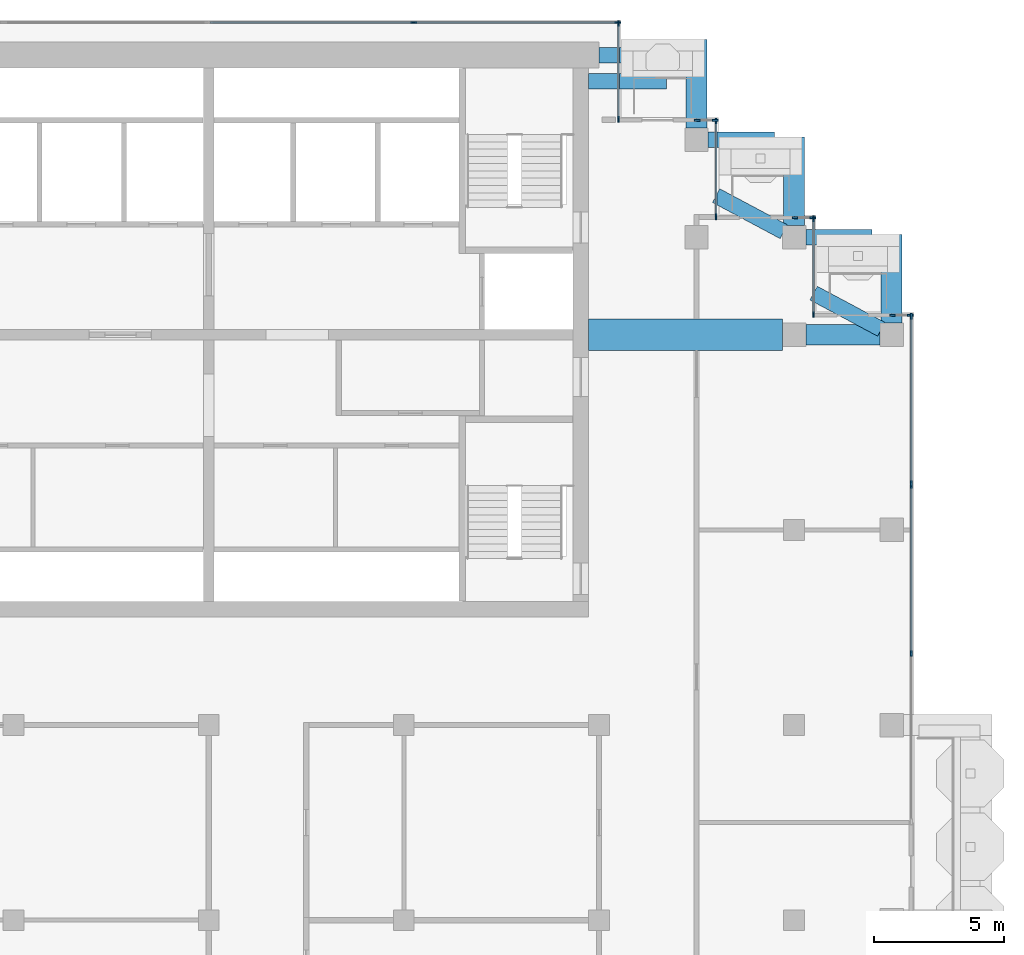
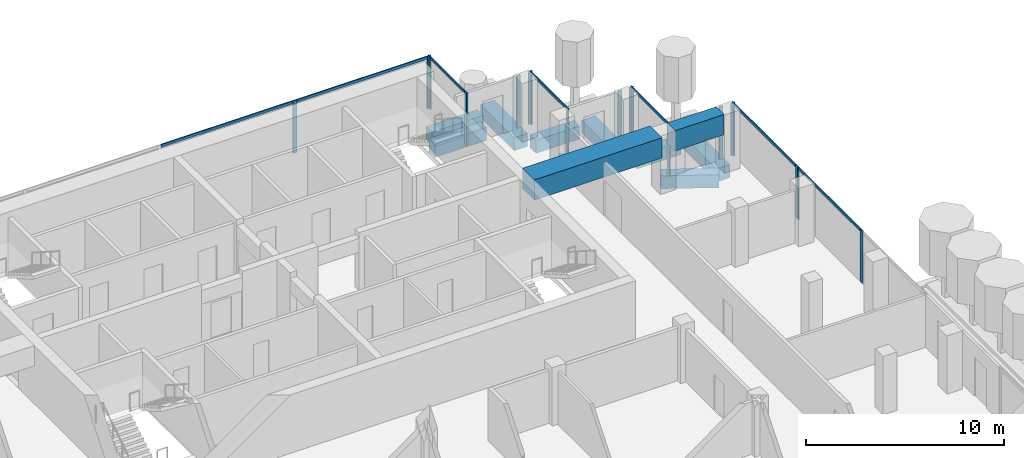
# One storey, part 6 of 18: 25 members, 11 beams, 9 elements without a shape of their own.
"""IFC4 building model written with IfcOpenShell, lengths in metres."""

from ifc_helpers import new_model, si_unit, direction, frame, origin, origin_2d, place, context, subcontext, project, spatial, rectangle, extrude, material, material_profile, profile_set, type_object, element, aggregate, save


model = new_model("IFC4")

# Units and contexts
model_context = context("Model", 3, precision=1e-05, world=origin(), true_north=direction((0.0, 1.0)))
body_context = subcontext(model_context, "Body", "Model", "MODEL_VIEW")
ifc_project = project(units=[si_unit("LENGTHUNIT", "METRE"), si_unit("AREAUNIT", "SQUARE_METRE"), si_unit("VOLUMEUNIT", "CUBIC_METRE"), si_unit("PLANEANGLEUNIT", "RADIAN"), si_unit("MASSUNIT", "GRAM", prefix="KILO")], contexts=[model_context])

# Site, building, storey
site_placement = place(None, origin())
site = spatial("IfcSite", under=ifc_project, at=site_placement, CompositionType="ELEMENT")
building_placement = place(site_placement, origin())
building = spatial("IfcBuilding", under=site, at=building_placement, Name="Pilkhan Gate Tower", CompositionType="ELEMENT")
storey_placement = place(building_placement, frame((0.0, 0.0, 249.89990234375)))
storey = spatial("IfcBuildingStorey", under=building, at=storey_placement, Name="L65", CompositionType="ELEMENT", Elevation=249.89990234375)

# Beams
ifc_material_1 = material(Name="Concrete C50/60", Category="concrete")
ifc_material_profile_1 = material_profile(ifc_material_1, rectangle(XDim=0.60009765625, YDim=0.800048828125, at=origin_2d()), Name="RC 600x800")
ifc_profile_set_1 = profile_set([ifc_material_profile_1], Name="Concrete C50/60")
beam_type_1 = type_object("IfcBeamType", Name="Cantilever beam CB1 RC 600x800 C50/60", PredefinedType="BEAM", material=ifc_profile_set_1)
for number, where, z_axis, x_axis, name in (
    (1, (90.0, 93.25, -0.699951171875), (1.0, 0.0, 0.0), (0.0, 1.0, 0.0), "Balcony beam NE.2 L65"),
    (2, (89.60009765625, 92.25, -0.699951171875), (1.0, 0.0, 0.0), (0.0, 1.0, 0.0), "Balcony beam NE.3 L65"),
):
    element("IfcBeam", number, at=place(storey_placement, frame(where, z_axis=z_axis, x_axis=x_axis)), inside=storey, type_object=beam_type_1, Name=name, PredefinedType="BEAM", context=body_context, shape_type="SweptSolid", body=[
        extrude(rectangle(XDim=0.60009765625, YDim=0.800048828125, at=origin_2d()), origin(), (0.0, 0.0, 1.0), 3.0),
    ])
beam_1_placement = place(storey_placement, frame((94.199951171875, 90.0, -0.699951171875), z_axis=(1.0, 0.0, 0.0), x_axis=(0.0, 1.0, 0.0)))
element("IfcBeam", 3, at=beam_1_placement, inside=storey, type_object=beam_type_1, Name="Balcony beam NE1.2 L65", PredefinedType="BEAM", context=body_context, shape_type="SweptSolid", body=[
    extrude(rectangle(XDim=0.60009765625, YDim=0.800048828125, at=origin_2d()), origin(), (0.0, 0.0, 1.0), 2.550048828125),
])
beam_2_placement = place(storey_placement, frame((97.10302734375, 86.461669921875, -0.699951171875), z_axis=(-0.882332323202, 0.470626891957, 0.0), x_axis=(-0.470626891957, -0.882332323202, 0.0)))
element("IfcBeam", 4, at=beam_2_placement, inside=storey, type_object=beam_type_1, Name="Balcony beam NE1.3 L65", PredefinedType="BEAM", context=body_context, shape_type="SweptSolid", body=[
    extrude(rectangle(XDim=0.60009765625, YDim=0.800048828125, at=origin_2d()), origin(), (0.0, 0.0, 1.0), 2.9501953125),
])
beam_3_placement = place(storey_placement, frame((97.949951171875, 86.25, -0.699951171875), z_axis=(1.0, 0.0, 0.0), x_axis=(0.0, 1.0, 0.0)))
element("IfcBeam", 5, at=beam_3_placement, inside=storey, type_object=beam_type_1, Name="Balcony beam NE2.2 L65", PredefinedType="BEAM", context=body_context, shape_type="SweptSolid", body=[
    extrude(rectangle(XDim=0.60009765625, YDim=0.800048828125, at=origin_2d()), origin(), (0.0, 0.0, 1.0), 2.550048828125),
])
beam_4_placement = place(storey_placement, frame((100.85302734375, 82.711669921875, -0.699951171875), z_axis=(-0.882332323202, 0.470626891957, 0.0), x_axis=(-0.470626891957, -0.882332323202, 0.0)))
element("IfcBeam", 6, at=beam_4_placement, inside=storey, type_object=beam_type_1, Name="Balcony beam NE2.3 L65", PredefinedType="BEAM", context=body_context, shape_type="SweptSolid", body=[
    extrude(rectangle(XDim=0.60009765625, YDim=0.800048828125, at=origin_2d()), origin(), (0.0, 0.0, 1.0), 2.9501953125),
])
ifc_material_profile_2 = material_profile(ifc_material_1, rectangle(XDim=0.800048828125, YDim=0.800048828125, at=origin_2d()), Name="RC 800x800")
ifc_profile_set_2 = profile_set([ifc_material_profile_2], Name="Concrete C50/60")
beam_type_2 = type_object("IfcBeamType", Name="Cantilever beam CB2 RC 800x800 C50/60", PredefinedType="BEAM", material=ifc_profile_set_2)
for number, where, z_axis, x_axis, name in (
    (7, (93.75, 90.449951171875, -0.699951171875), (0.0, 1.0, 0.0), (-1.0, 0.0, 0.0), "Balcony beam NE.1 L65"),
    (8, (97.5, 86.699951171875, -0.699951171875), (0.0, 1.0, 0.0), (-1.0, 0.0, 0.0), "Balcony beam NE1.1 L65"),
    (9, (101.25, 82.949951171875, -0.699951171875), (0.0, 1.0, 0.0), (-1.0, 0.0, 0.0), "Balcony beam NE2.1 L65"),
):
    element("IfcBeam", number, at=place(storey_placement, frame(where, z_axis=z_axis, x_axis=x_axis)), inside=storey, type_object=beam_type_2, Name=name, PredefinedType="BEAM", context=body_context, shape_type="SweptSolid", body=[
        extrude(rectangle(XDim=0.800048828125, YDim=0.800048828125, at=origin_2d()), origin(), (0.0, 0.0, 1.0), 3.400146484375),
    ])

# Curtain wall, members
ifc_material_2 = material(Name="Pale anodised aluminium, clear low-iron double glazing", Category="aluminium")
curtain_wall_type = type_object("IfcCurtainWallType", Name="Office unitised curtain wall CW-O2", PredefinedType="USERDEFINED", material=ifc_material_2)
curtain_wall_1_placement = place(storey_placement, origin())
curtain_wall_1 = element("IfcCurtainWall", 10, at=curtain_wall_1_placement, inside=storey, type_object=curtain_wall_type, Name="Office unitised curtain wall CW-O2 L65 E", ObjectType="UNITISED CURTAIN WALL", PredefinedType="USERDEFINED")
ifc_material_3 = material(Name="Pale anodised aluminium", Category="aluminium")
ifc_material_profile_3 = material_profile(ifc_material_3, rectangle(XDim=0.06494140625, YDim=0.22509765625, at=origin_2d()), Name="Mullion 225x65")
ifc_profile_set_3 = profile_set([ifc_material_profile_3], Name="Pale anodised aluminium")
member_type_1 = type_object("IfcMemberType", Name="Mullion CW-O2 225x65", PredefinedType="MULLION", material=ifc_profile_set_3)
member_1_placement = place(storey_placement, frame((102.0, 70.25, 0.0), z_axis=(0.0, 0.0, 1.0), x_axis=(-1.0, 0.0, 0.0)))
member_1 = element("IfcMember", 11, at=member_1_placement, type_object=member_type_1, Name="CW-O2 mullion 2", PredefinedType="MULLION", context=body_context, shape_type="SweptSolid", body=[
    extrude(rectangle(XDim=0.06494140625, YDim=0.22509765625, at=origin_2d()), origin(), (0.0, 0.0, 1.0), 3.25),
])
member_2_placement = place(storey_placement, frame((102.0, 76.717529296875, 0.0), z_axis=(0.0, 0.0, 1.0), x_axis=(-1.0, 0.0, 0.0)))
member_2 = element("IfcMember", 12, at=member_2_placement, type_object=member_type_1, Name="CW-O2 mullion 3", PredefinedType="MULLION", context=body_context, shape_type="SweptSolid", body=[
    extrude(rectangle(XDim=0.06494140625, YDim=0.22509765625, at=origin_2d()), origin(), (0.0, 0.0, 1.0), 3.25),
])

curtain_wall_2_placement = place(storey_placement, origin())
curtain_wall_2 = element("IfcCurtainWall", 13, at=curtain_wall_2_placement, inside=storey, type_object=curtain_wall_type, Name="Office unitised curtain wall CW-O2 L65 E", ObjectType="UNITISED CURTAIN WALL", PredefinedType="USERDEFINED")
member_3_placement = place(storey_placement, frame((102.0, 76.782470703125, 0.0), z_axis=(0.0, 0.0, 1.0), x_axis=(-1.0, 0.0, 0.0)))
member_3 = element("IfcMember", 14, at=member_3_placement, type_object=member_type_1, Name="CW-O2 mullion 1", PredefinedType="MULLION", context=body_context, shape_type="SweptSolid", body=[
    extrude(rectangle(XDim=0.06494140625, YDim=0.22509765625, at=origin_2d()), origin(), (0.0, 0.0, 1.0), 3.25),
])
member_4_placement = place(storey_placement, frame((102.0, 83.217529296875, 0.0), z_axis=(0.0, 0.0, 1.0), x_axis=(-1.0, 0.0, 0.0)))
member_4 = element("IfcMember", 15, at=member_4_placement, type_object=member_type_1, Name="CW-O2 mullion 2", PredefinedType="MULLION", context=body_context, shape_type="SweptSolid", body=[
    extrude(rectangle(XDim=0.06494140625, YDim=0.22509765625, at=origin_2d()), origin(), (0.0, 0.0, 1.0), 3.25),
])

curtain_wall_3_placement = place(storey_placement, origin())
curtain_wall_3 = element("IfcCurtainWall", 16, at=curtain_wall_3_placement, inside=storey, type_object=curtain_wall_type, Name="Office unitised curtain wall CW-O2 L65 N", ObjectType="UNITISED CURTAIN WALL", PredefinedType="USERDEFINED")
member_5_placement = place(storey_placement, frame((101.282470703125, 83.25, 0.0), z_axis=(0.0, 0.0, 1.0), x_axis=(0.0, 1.0, 0.0)))
member_5 = element("IfcMember", 17, at=member_5_placement, type_object=member_type_1, Name="CW-O2 mullion 1", PredefinedType="MULLION", context=body_context, shape_type="SweptSolid", body=[
    extrude(rectangle(XDim=0.06494140625, YDim=0.22509765625, at=origin_2d()), origin(), (0.0, 0.0, 1.0), 3.25),
])
member_6_placement = place(storey_placement, frame((101.967529296875, 83.25, 0.0), z_axis=(0.0, 0.0, 1.0), x_axis=(0.0, 1.0, 0.0)))
member_6 = element("IfcMember", 18, at=member_6_placement, type_object=member_type_1, Name="CW-O2 mullion 2", PredefinedType="MULLION", context=body_context, shape_type="SweptSolid", body=[
    extrude(rectangle(XDim=0.06494140625, YDim=0.22509765625, at=origin_2d()), origin(), (0.0, 0.0, 1.0), 3.25),
])
aggregate(curtain_wall_3, [member_5, member_6])

curtain_wall_4_placement = place(storey_placement, origin())
curtain_wall_4 = element("IfcCurtainWall", 19, at=curtain_wall_4_placement, inside=storey, type_object=curtain_wall_type, Name="Office unitised curtain wall CW-O2 L65 E", ObjectType="UNITISED CURTAIN WALL", PredefinedType="USERDEFINED")
member_7_placement = place(storey_placement, frame((98.25, 83.282470703125, 0.0), z_axis=(0.0, 0.0, 1.0), x_axis=(-1.0, 0.0, 0.0)))
member_7 = element("IfcMember", 20, at=member_7_placement, type_object=member_type_1, Name="CW-O2 mullion 1", PredefinedType="MULLION", context=body_context, shape_type="SweptSolid", body=[
    extrude(rectangle(XDim=0.06494140625, YDim=0.22509765625, at=origin_2d()), origin(), (0.0, 0.0, 1.0), 3.25),
])
member_8_placement = place(storey_placement, frame((98.25, 86.967529296875, 0.0), z_axis=(0.0, 0.0, 1.0), x_axis=(-1.0, 0.0, 0.0)))
member_8 = element("IfcMember", 21, at=member_8_placement, type_object=member_type_1, Name="CW-O2 mullion 2", PredefinedType="MULLION", context=body_context, shape_type="SweptSolid", body=[
    extrude(rectangle(XDim=0.06494140625, YDim=0.22509765625, at=origin_2d()), origin(), (0.0, 0.0, 1.0), 3.25),
])

curtain_wall_5_placement = place(storey_placement, origin())
curtain_wall_5 = element("IfcCurtainWall", 22, at=curtain_wall_5_placement, inside=storey, type_object=curtain_wall_type, Name="Office unitised curtain wall CW-O2 L65 N", ObjectType="UNITISED CURTAIN WALL", PredefinedType="USERDEFINED")
member_9_placement = place(storey_placement, frame((97.532470703125, 87.0, 0.0), z_axis=(0.0, 0.0, 1.0), x_axis=(0.0, 1.0, 0.0)))
member_9 = element("IfcMember", 23, at=member_9_placement, type_object=member_type_1, Name="CW-O2 mullion 1", PredefinedType="MULLION", context=body_context, shape_type="SweptSolid", body=[
    extrude(rectangle(XDim=0.06494140625, YDim=0.22509765625, at=origin_2d()), origin(), (0.0, 0.0, 1.0), 3.25),
])
member_10_placement = place(storey_placement, frame((98.217529296875, 87.0, 0.0), z_axis=(0.0, 0.0, 1.0), x_axis=(0.0, 1.0, 0.0)))
member_10 = element("IfcMember", 24, at=member_10_placement, type_object=member_type_1, Name="CW-O2 mullion 2", PredefinedType="MULLION", context=body_context, shape_type="SweptSolid", body=[
    extrude(rectangle(XDim=0.06494140625, YDim=0.22509765625, at=origin_2d()), origin(), (0.0, 0.0, 1.0), 3.25),
])
aggregate(curtain_wall_5, [member_9, member_10])

curtain_wall_6_placement = place(storey_placement, origin())
curtain_wall_6 = element("IfcCurtainWall", 25, at=curtain_wall_6_placement, inside=storey, type_object=curtain_wall_type, Name="Office unitised curtain wall CW-O2 L65 E", ObjectType="UNITISED CURTAIN WALL", PredefinedType="USERDEFINED")
member_11_placement = place(storey_placement, frame((94.5, 87.032470703125, 0.0), z_axis=(0.0, 0.0, 1.0), x_axis=(-1.0, 0.0, 0.0)))
member_11 = element("IfcMember", 26, at=member_11_placement, type_object=member_type_1, Name="CW-O2 mullion 1", PredefinedType="MULLION", context=body_context, shape_type="SweptSolid", body=[
    extrude(rectangle(XDim=0.06494140625, YDim=0.22509765625, at=origin_2d()), origin(), (0.0, 0.0, 1.0), 3.25),
])
member_12_placement = place(storey_placement, frame((94.5, 90.717529296875, 0.0), z_axis=(0.0, 0.0, 1.0), x_axis=(-1.0, 0.0, 0.0)))
member_12 = element("IfcMember", 27, at=member_12_placement, type_object=member_type_1, Name="CW-O2 mullion 2", PredefinedType="MULLION", context=body_context, shape_type="SweptSolid", body=[
    extrude(rectangle(XDim=0.06494140625, YDim=0.22509765625, at=origin_2d()), origin(), (0.0, 0.0, 1.0), 3.25),
])

curtain_wall_7_placement = place(storey_placement, origin())
curtain_wall_7 = element("IfcCurtainWall", 28, at=curtain_wall_7_placement, inside=storey, type_object=curtain_wall_type, Name="Office unitised curtain wall CW-O2 L65 N", ObjectType="UNITISED CURTAIN WALL", PredefinedType="USERDEFINED")
member_13_placement = place(storey_placement, frame((93.782470703125, 90.75, 0.0), z_axis=(0.0, 0.0, 1.0), x_axis=(0.0, 1.0, 0.0)))
member_13 = element("IfcMember", 29, at=member_13_placement, type_object=member_type_1, Name="CW-O2 mullion 1", PredefinedType="MULLION", context=body_context, shape_type="SweptSolid", body=[
    extrude(rectangle(XDim=0.06494140625, YDim=0.22509765625, at=origin_2d()), origin(), (0.0, 0.0, 1.0), 3.25),
])
member_14_placement = place(storey_placement, frame((94.467529296875, 90.75, 0.0), z_axis=(0.0, 0.0, 1.0), x_axis=(0.0, 1.0, 0.0)))
member_14 = element("IfcMember", 30, at=member_14_placement, type_object=member_type_1, Name="CW-O2 mullion 2", PredefinedType="MULLION", context=body_context, shape_type="SweptSolid", body=[
    extrude(rectangle(XDim=0.06494140625, YDim=0.22509765625, at=origin_2d()), origin(), (0.0, 0.0, 1.0), 3.25),
])
aggregate(curtain_wall_7, [member_13, member_14])

curtain_wall_8_placement = place(storey_placement, origin())
curtain_wall_8 = element("IfcCurtainWall", 31, at=curtain_wall_8_placement, inside=storey, type_object=curtain_wall_type, Name="Office unitised curtain wall CW-O2 L65 E", ObjectType="UNITISED CURTAIN WALL", PredefinedType="USERDEFINED")
member_15_placement = place(storey_placement, frame((90.75, 90.782470703125, 0.0), z_axis=(0.0, 0.0, 1.0), x_axis=(-1.0, 0.0, 0.0)))
member_15 = element("IfcMember", 32, at=member_15_placement, type_object=member_type_1, Name="CW-O2 mullion 1", PredefinedType="MULLION", context=body_context, shape_type="SweptSolid", body=[
    extrude(rectangle(XDim=0.06494140625, YDim=0.22509765625, at=origin_2d()), origin(), (0.0, 0.0, 1.0), 3.25),
])
member_16_placement = place(storey_placement, frame((90.75, 94.467529296875, 0.0), z_axis=(0.0, 0.0, 1.0), x_axis=(-1.0, 0.0, 0.0)))
member_16 = element("IfcMember", 33, at=member_16_placement, type_object=member_type_1, Name="CW-O2 mullion 2", PredefinedType="MULLION", context=body_context, shape_type="SweptSolid", body=[
    extrude(rectangle(XDim=0.06494140625, YDim=0.22509765625, at=origin_2d()), origin(), (0.0, 0.0, 1.0), 3.25),
])

curtain_wall_9_placement = place(storey_placement, origin())
curtain_wall_9 = element("IfcCurtainWall", 34, at=curtain_wall_9_placement, inside=storey, type_object=curtain_wall_type, Name="Office unitised curtain wall CW-O2 L65 N", ObjectType="UNITISED CURTAIN WALL", PredefinedType="USERDEFINED")
member_17_placement = place(storey_placement, frame((82.875, 94.5, 0.0), z_axis=(0.0, 0.0, 1.0), x_axis=(0.0, 1.0, 0.0)))
member_17 = element("IfcMember", 35, at=member_17_placement, type_object=member_type_1, Name="CW-O2 mullion 2", PredefinedType="MULLION", context=body_context, shape_type="SweptSolid", body=[
    extrude(rectangle(XDim=0.06494140625, YDim=0.22509765625, at=origin_2d()), origin(), (0.0, 0.0, 1.0), 3.25),
])
member_18_placement = place(storey_placement, frame((90.717529296875, 94.5, 0.0), z_axis=(0.0, 0.0, 1.0), x_axis=(0.0, 1.0, 0.0)))
member_18 = element("IfcMember", 36, at=member_18_placement, type_object=member_type_1, Name="CW-O2 mullion 3", PredefinedType="MULLION", context=body_context, shape_type="SweptSolid", body=[
    extrude(rectangle(XDim=0.06494140625, YDim=0.22509765625, at=origin_2d()), origin(), (0.0, 0.0, 1.0), 3.25),
])

# Beams
ifc_material_4 = material(Name="Concrete C60/75", Category="concrete")
ifc_material_profile_4 = material_profile(ifc_material_4, rectangle(XDim=0.800048828125, YDim=1.25, at=origin_2d()), Name="RC 800x1250")
ifc_profile_set_4 = profile_set([ifc_material_profile_4], Name="Concrete C60/75")
beam_type_3 = type_object("IfcBeamType", Name="Outrigger support beam OB1 RC 800x1250 C60/75", PredefinedType="BEAM", material=ifc_profile_set_4)
beam_5_placement = place(storey_placement, frame((97.949951171875, 82.5, 2.97509765625), z_axis=(1.0, 0.0, 0.0), x_axis=(0.0, 1.0, 0.0)))
element("IfcBeam", 37, at=beam_5_placement, inside=storey, type_object=beam_type_3, Name="Outrigger support beam 2 L66", PredefinedType="BEAM", context=body_context, shape_type="SweptSolid", body=[
    extrude(rectangle(XDim=0.800048828125, YDim=1.25, at=origin_2d()), origin(), (0.0, 0.0, 1.0), 2.85009765625),
])
ifc_material_profile_5 = material_profile(ifc_material_4, rectangle(XDim=1.199951171875, YDim=1.25, at=origin_2d()), Name="RC 1200x1250")
ifc_profile_set_5 = profile_set([ifc_material_profile_5], Name="Concrete C60/75")
beam_type_4 = type_object("IfcBeamType", Name="Outrigger support beam OB3 RC 1200x1250 C60/75", PredefinedType="BEAM", material=ifc_profile_set_5)
beam_6_placement = place(storey_placement, frame((89.60009765625, 82.5, 2.97509765625), z_axis=(1.0, 0.0, 0.0), x_axis=(0.0, 1.0, 0.0)))
element("IfcBeam", 38, at=beam_6_placement, inside=storey, type_object=beam_type_4, Name="Outrigger support beam 1 L66", PredefinedType="BEAM", context=body_context, shape_type="SweptSolid", body=[
    extrude(rectangle(XDim=1.199951171875, YDim=1.25, at=origin_2d()), origin(), (0.0, 0.0, 1.0), 7.449951171875),
])

# Member
ifc_material_profile_6 = material_profile(ifc_material_3, rectangle(XDim=0.06494140625, YDim=0.1650390625, at=origin_2d()), Name="Transom 165x65")
ifc_profile_set_6 = profile_set([ifc_material_profile_6], Name="Pale anodised aluminium")
member_type_2 = type_object("IfcMemberType", Name="Transom CW-O2 165x65", PredefinedType="USERDEFINED", material=ifc_profile_set_6)
member_19_placement = place(storey_placement, frame((102.0, 70.282470703125, 3.16748046875), z_axis=(0.0, 1.0, 0.0), x_axis=(-1.0, 0.0, 0.0)))
member_19 = element("IfcMember", 39, at=member_19_placement, type_object=member_type_2, Name="CW-O2 transom 2", ObjectType="TRANSOM", PredefinedType="USERDEFINED", context=body_context, shape_type="SweptSolid", body=[
    extrude(rectangle(XDim=0.06494140625, YDim=0.1650390625, at=origin_2d()), origin(), (0.0, 0.0, 1.0), 6.402587890625),
])

aggregate(curtain_wall_1, [member_1, member_2, member_19])

member_20_placement = place(storey_placement, frame((102.0, 76.81494140625, 3.16748046875), z_axis=(0.0, 1.0, 0.0), x_axis=(-1.0, 0.0, 0.0)))
member_20 = element("IfcMember", 40, at=member_20_placement, type_object=member_type_2, Name="CW-O2 transom 1", ObjectType="TRANSOM", PredefinedType="USERDEFINED", context=body_context, shape_type="SweptSolid", body=[
    extrude(rectangle(XDim=0.06494140625, YDim=0.1650390625, at=origin_2d()), origin(), (0.0, 0.0, 1.0), 6.3701171875),
])

aggregate(curtain_wall_2, [member_3, member_4, member_20])

member_21_placement = place(storey_placement, frame((98.25, 83.31494140625, 3.16748046875), z_axis=(0.0, 1.0, 0.0), x_axis=(-1.0, 0.0, 0.0)))
member_21 = element("IfcMember", 41, at=member_21_placement, type_object=member_type_2, Name="CW-O2 transom 1", ObjectType="TRANSOM", PredefinedType="USERDEFINED", context=body_context, shape_type="SweptSolid", body=[
    extrude(rectangle(XDim=0.06494140625, YDim=0.1650390625, at=origin_2d()), origin(), (0.0, 0.0, 1.0), 3.6201171875),
])

aggregate(curtain_wall_4, [member_7, member_8, member_21])

member_22_placement = place(storey_placement, frame((94.5, 87.06494140625, 3.16748046875), z_axis=(0.0, 1.0, 0.0), x_axis=(-1.0, 0.0, 0.0)))
member_22 = element("IfcMember", 42, at=member_22_placement, type_object=member_type_2, Name="CW-O2 transom 1", ObjectType="TRANSOM", PredefinedType="USERDEFINED", context=body_context, shape_type="SweptSolid", body=[
    extrude(rectangle(XDim=0.06494140625, YDim=0.1650390625, at=origin_2d()), origin(), (0.0, 0.0, 1.0), 3.6201171875),
])

aggregate(curtain_wall_6, [member_11, member_12, member_22])

member_23_placement = place(storey_placement, frame((90.75, 90.81494140625, 3.16748046875), z_axis=(0.0, 1.0, 0.0), x_axis=(-1.0, 0.0, 0.0)))
member_23 = element("IfcMember", 43, at=member_23_placement, type_object=member_type_2, Name="CW-O2 transom 1", ObjectType="TRANSOM", PredefinedType="USERDEFINED", context=body_context, shape_type="SweptSolid", body=[
    extrude(rectangle(XDim=0.06494140625, YDim=0.1650390625, at=origin_2d()), origin(), (0.0, 0.0, 1.0), 3.6201171875),
])

aggregate(curtain_wall_8, [member_15, member_16, member_23])

member_24_placement = place(storey_placement, frame((75.06494140625, 94.5, 3.16748046875), z_axis=(1.0, 0.0, 0.0), x_axis=(0.0, 1.0, 0.0)))
member_24 = element("IfcMember", 44, at=member_24_placement, type_object=member_type_2, Name="CW-O2 transom 1", ObjectType="TRANSOM", PredefinedType="USERDEFINED", context=body_context, shape_type="SweptSolid", body=[
    extrude(rectangle(XDim=0.06494140625, YDim=0.1650390625, at=origin_2d()), origin(), (0.0, 0.0, 1.0), 7.777587890625),
])

member_25_placement = place(storey_placement, frame((82.907470703125, 94.5, 3.16748046875), z_axis=(1.0, 0.0, 0.0), x_axis=(0.0, 1.0, 0.0)))
member_25 = element("IfcMember", 45, at=member_25_placement, type_object=member_type_2, Name="CW-O2 transom 2", ObjectType="TRANSOM", PredefinedType="USERDEFINED", context=body_context, shape_type="SweptSolid", body=[
    extrude(rectangle(XDim=0.06494140625, YDim=0.1650390625, at=origin_2d()), origin(), (0.0, 0.0, 1.0), 7.777587890625),
])

aggregate(curtain_wall_9, [member_17, member_18, member_24, member_25])

save(model, "model.ifc")
